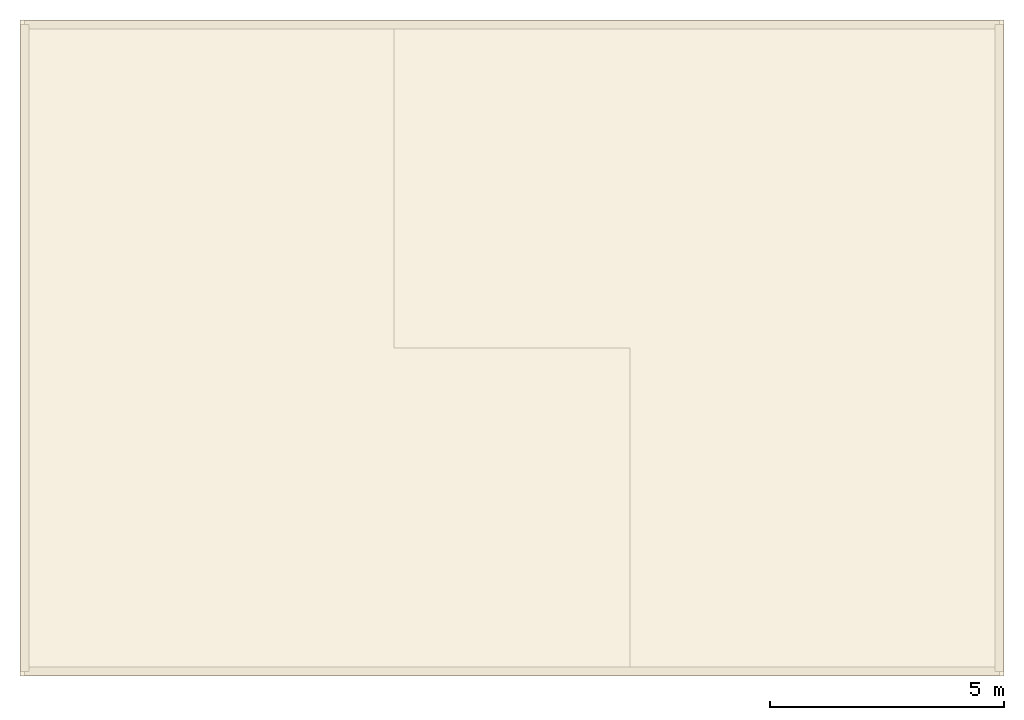
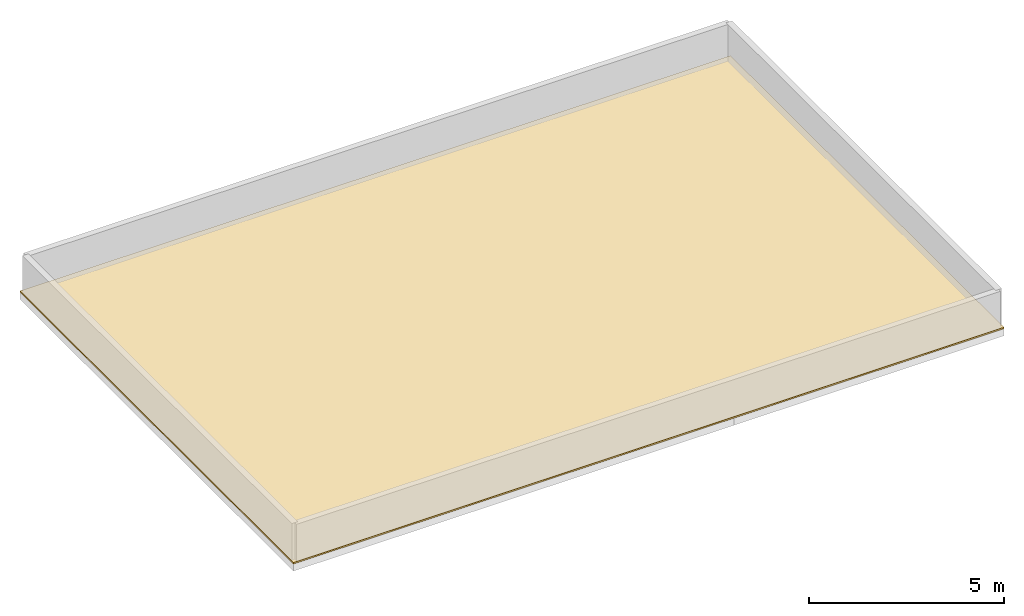
# One storey, part 2 of 2: 1 covering.
"""IFC4 building model written with IfcOpenShell, lengths in metres."""

from ifc_helpers import new_model, si_unit, direction, frame, origin, place, context, subcontext, project, spatial, polyline, outline, extrude, material, layer, layer_set, type_object, element, save


model = new_model("IFC4")

# Units and contexts
model_context = context("Model", 3, precision=1e-05, world=origin(), true_north=direction((0.0, 1.0)))
body_context = subcontext(model_context, "Body", "Model", "MODEL_VIEW")
ifc_project = project(units=[si_unit("LENGTHUNIT", "METRE"), si_unit("AREAUNIT", "SQUARE_METRE"), si_unit("VOLUMEUNIT", "CUBIC_METRE"), si_unit("PLANEANGLEUNIT", "RADIAN"), si_unit("MASSUNIT", "GRAM", prefix="KILO"), si_unit("THERMODYNAMICTEMPERATUREUNIT", "KELVIN"), si_unit("POWERUNIT", "WATT")], contexts=[model_context])

# Site, building, storey
site_placement = place(None, origin())
site = spatial("IfcSite", under=ifc_project, at=site_placement, CompositionType="ELEMENT")
building_placement = place(site_placement, origin())
building = spatial("IfcBuilding", under=site, at=building_placement, Name="Zhenchuan Central Fire Station", CompositionType="ELEMENT")
storey_placement = place(building_placement, frame((0.0, 0.0, 26.85009765625)))
storey = spatial("IfcBuildingStorey", under=building, at=storey_placement, Name="RF", CompositionType="ELEMENT", Elevation=26.85009765625)

# Covering
ifc_material = material(Name="Standing-seam zinc-aluminium roofing", Category="aluminium")
ifc_layer = layer(ifc_material, 0.044921875, Name="Standing-seam zinc-aluminium roofing", Category="aluminium")
ifc_layer_set = layer_set([ifc_layer], Name="Standing-seam zinc-aluminium roofing")
covering_type = type_object("IfcCoveringType", Name="COV-ROOF", PredefinedType="ROOFING", material=ifc_layer_set)
covering_placement = place(storey_placement, origin())
element("IfcCovering", 1, at=covering_placement, inside=storey, type_object=covering_type, Name="Drill Tower Top Roof Membrane", PredefinedType="ROOFING", context=body_context, shape_type="SweptSolid", body=[
    extrude(outline(polyline([(140.0, 42.5), (161.0, 42.5), (161.0, 56.5), (140.0, 56.5), (140.0, 42.5)])), origin(), (0.0, 0.0, 1.0), 0.044921875),
])

save(model, "model.ifc")
